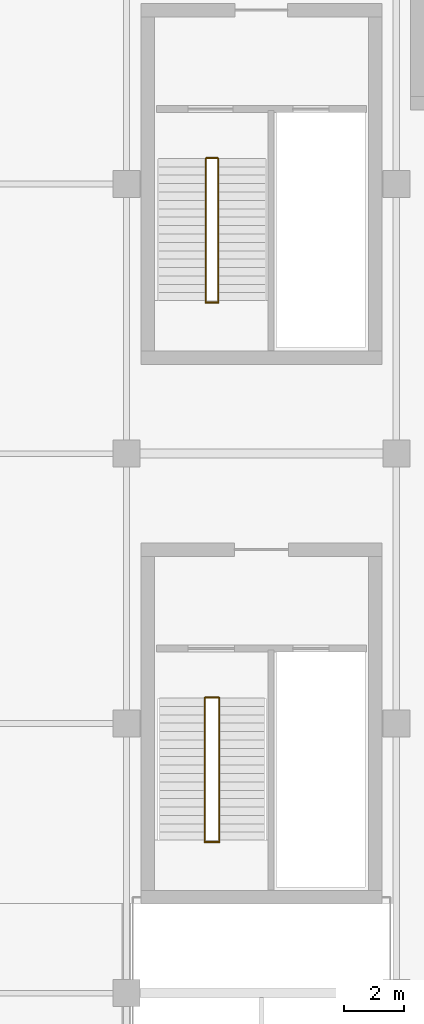
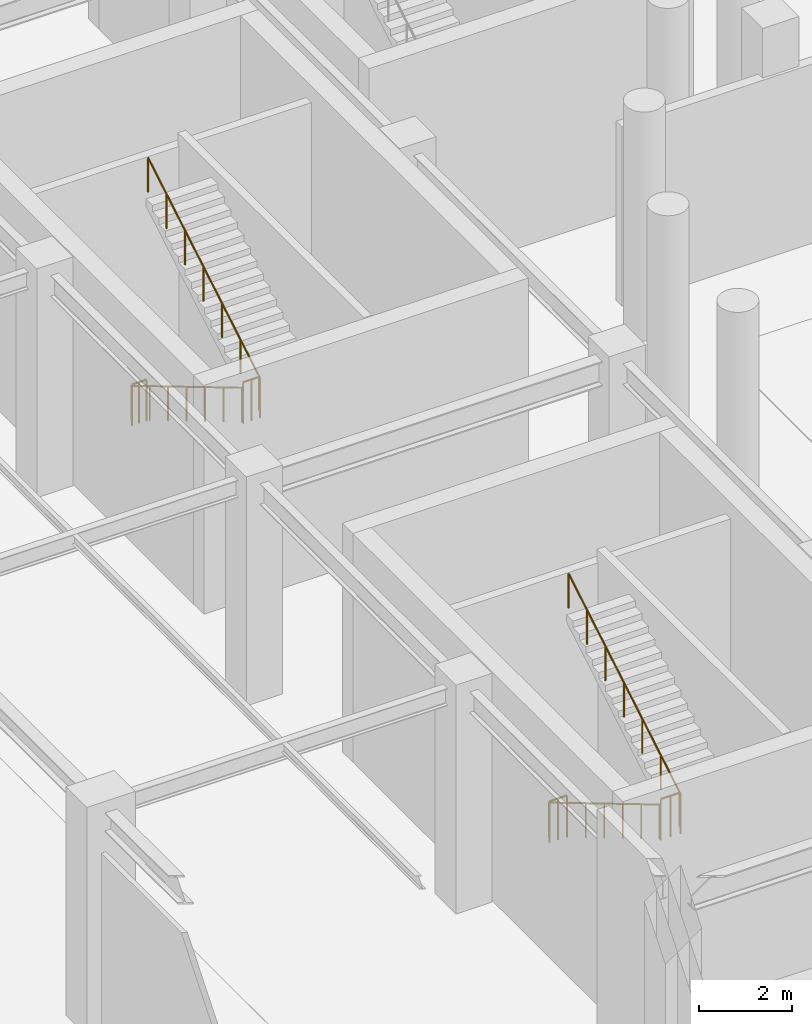
# One storey, part 83 of 91: 8 railings.
"""IFC4 building model written with IfcOpenShell, lengths in metres."""

from ifc_helpers import new_model, si_unit, direction, frame, origin, origin_2d, place, context, subcontext, project, spatial, circle, extrude, material, type_object, element, save


model = new_model("IFC4")

# Units and contexts
model_context = context("Model", 3, precision=1e-05, world=origin(), true_north=direction((0.0, 1.0)))
body_context = subcontext(model_context, "Body", "Model", "MODEL_VIEW")
ifc_project = project(units=[si_unit("LENGTHUNIT", "METRE"), si_unit("AREAUNIT", "SQUARE_METRE"), si_unit("VOLUMEUNIT", "CUBIC_METRE"), si_unit("PLANEANGLEUNIT", "RADIAN"), si_unit("MASSUNIT", "GRAM", prefix="KILO")], contexts=[model_context])

# Site, building, storey
site_placement = place(None, origin())
site = spatial("IfcSite", under=ifc_project, at=site_placement, CompositionType="ELEMENT")
building_placement = place(site_placement, origin())
building = spatial("IfcBuilding", under=site, at=building_placement, Name="Dornveld Trade and Exhibition Forum", CompositionType="ELEMENT")
storey_placement = place(building_placement, origin())
storey = spatial("IfcBuildingStorey", under=building, at=storey_placement, Name="L00", CompositionType="ELEMENT", Elevation=0.0)

# Railings
ifc_material_1 = material(Name="Brushed stainless steel handrail", Category="steel")
railing_type_1 = type_object("IfcRailingType", Name="RL-HAND-920", PredefinedType="HANDRAIL", material=ifc_material_1)
railing_1_placement = place(storey_placement, frame((92.639892578125, 90.85009765625, 0.166748046875)))
element("IfcRailing", 1, at=railing_1_placement, inside=storey, type_object=railing_type_1, Name="ST-04-L00 flight 1 handrail", PredefinedType="HANDRAIL", context=body_context, shape_type="SweptSolid", body=[
    extrude(circle(Radius=0.02099609375, at=origin_2d()), frame((0.0, 0.0, 0.89892578125), z_axis=(0.0, -0.859299802514, 0.511472237174), x_axis=(1.0, 0.0, 0.0)), (0.0, 0.0, 1.0), 5.539306640625),
    extrude(circle(Radius=0.01806640625, at=origin_2d()), origin(), (0.0, 0.0, 1.0), 0.8779296875),
    extrude(circle(Radius=0.01806640625, at=origin_2d()), frame((0.0, -0.79345703125, 0.47216796875)), (0.0, 0.0, 1.0), 0.8779296875),
    extrude(circle(Radius=0.01806640625, at=origin_2d()), frame((0.0, -1.586669921875, 0.9443359375)), (0.0, 0.0, 1.0), 0.8779296875),
    extrude(circle(Radius=0.01806640625, at=origin_2d()), frame((0.0, -2.3798828125, 1.41650390625)), (0.0, 0.0, 1.0), 0.8779296875),
    extrude(circle(Radius=0.01806640625, at=origin_2d()), frame((0.0, -3.17333984375, 1.888916015625)), (0.0, 0.0, 1.0), 0.8779296875),
    extrude(circle(Radius=0.01806640625, at=origin_2d()), frame((0.0, -3.966796875, 2.361083984375)), (0.0, 0.0, 1.0), 0.8779296875),
    extrude(circle(Radius=0.01806640625, at=origin_2d()), frame((0.0, -4.760009765625, 2.833251953125)), (0.0, 0.0, 1.0), 0.8779296875),
])
railing_2_placement = place(storey_placement, frame((93.06005859375, 86.090087890625, 3.166748046875)))
element("IfcRailing", 2, at=railing_2_placement, inside=storey, type_object=railing_type_1, Name="ST-04-L00 flight 2 handrail", PredefinedType="HANDRAIL", context=body_context, shape_type="SweptSolid", body=[
    extrude(circle(Radius=0.02099609375, at=origin_2d()), frame((0.0, 0.0, 0.89892578125), z_axis=(0.0, 0.859299802514, 0.511472237174), x_axis=(-1.0, 0.0, 0.0)), (0.0, 0.0, 1.0), 5.539306640625),
    extrude(circle(Radius=0.01806640625, at=origin_2d()), origin(), (0.0, 0.0, 1.0), 0.8779296875),
    extrude(circle(Radius=0.01806640625, at=origin_2d()), frame((0.0, 0.79345703125, 0.47216796875)), (0.0, 0.0, 1.0), 0.8779296875),
    extrude(circle(Radius=0.01806640625, at=origin_2d()), frame((0.0, 1.586669921875, 0.9443359375)), (0.0, 0.0, 1.0), 0.8779296875),
    extrude(circle(Radius=0.01806640625, at=origin_2d()), frame((0.0, 2.3798828125, 1.41650390625)), (0.0, 0.0, 1.0), 0.8779296875),
    extrude(circle(Radius=0.01806640625, at=origin_2d()), frame((0.0, 3.17333984375, 1.888916015625)), (0.0, 0.0, 1.0), 0.8779296875),
    extrude(circle(Radius=0.01806640625, at=origin_2d()), frame((0.0, 3.966796875, 2.361083984375)), (0.0, 0.0, 1.0), 0.8779296875),
    extrude(circle(Radius=0.01806640625, at=origin_2d()), frame((0.0, 4.760009765625, 2.833251953125)), (0.0, 0.0, 1.0), 0.8779296875),
])
railing_3_placement = place(storey_placement, frame((92.60498046875, 72.85009765625, 0.166748046875)))
element("IfcRailing", 3, at=railing_3_placement, inside=storey, type_object=railing_type_1, Name="ST-05-L00 flight 1 handrail", PredefinedType="HANDRAIL", context=body_context, shape_type="SweptSolid", body=[
    extrude(circle(Radius=0.02099609375, at=origin_2d()), frame((0.0, 0.0, 0.89892578125), z_axis=(0.0, -0.859299802514, 0.511472237174), x_axis=(1.0, 0.0, 0.0)), (0.0, 0.0, 1.0), 5.539306640625),
    extrude(circle(Radius=0.01806640625, at=origin_2d()), origin(), (0.0, 0.0, 1.0), 0.8779296875),
    extrude(circle(Radius=0.01806640625, at=origin_2d()), frame((0.0, -0.79345703125, 0.47216796875)), (0.0, 0.0, 1.0), 0.8779296875),
    extrude(circle(Radius=0.01806640625, at=origin_2d()), frame((0.0, -1.586669921875, 0.9443359375)), (0.0, 0.0, 1.0), 0.8779296875),
    extrude(circle(Radius=0.01806640625, at=origin_2d()), frame((0.0, -2.3798828125, 1.41650390625)), (0.0, 0.0, 1.0), 0.8779296875),
    extrude(circle(Radius=0.01806640625, at=origin_2d()), frame((0.0, -3.17333984375, 1.888916015625)), (0.0, 0.0, 1.0), 0.8779296875),
    extrude(circle(Radius=0.01806640625, at=origin_2d()), frame((0.0, -3.966796875, 2.361083984375)), (0.0, 0.0, 1.0), 0.8779296875),
    extrude(circle(Radius=0.01806640625, at=origin_2d()), frame((0.0, -4.760009765625, 2.833251953125)), (0.0, 0.0, 1.0), 0.8779296875),
])
railing_4_placement = place(storey_placement, frame((93.094970703125, 68.090087890625, 3.166748046875)))
element("IfcRailing", 4, at=railing_4_placement, inside=storey, type_object=railing_type_1, Name="ST-05-L00 flight 2 handrail", PredefinedType="HANDRAIL", context=body_context, shape_type="SweptSolid", body=[
    extrude(circle(Radius=0.02099609375, at=origin_2d()), frame((0.0, 0.0, 0.89892578125), z_axis=(0.0, 0.859299802514, 0.511472237174), x_axis=(-1.0, 0.0, 0.0)), (0.0, 0.0, 1.0), 5.539306640625),
    extrude(circle(Radius=0.01806640625, at=origin_2d()), origin(), (0.0, 0.0, 1.0), 0.8779296875),
    extrude(circle(Radius=0.01806640625, at=origin_2d()), frame((0.0, 0.79345703125, 0.47216796875)), (0.0, 0.0, 1.0), 0.8779296875),
    extrude(circle(Radius=0.01806640625, at=origin_2d()), frame((0.0, 1.586669921875, 0.9443359375)), (0.0, 0.0, 1.0), 0.8779296875),
    extrude(circle(Radius=0.01806640625, at=origin_2d()), frame((0.0, 2.3798828125, 1.41650390625)), (0.0, 0.0, 1.0), 0.8779296875),
    extrude(circle(Radius=0.01806640625, at=origin_2d()), frame((0.0, 3.17333984375, 1.888916015625)), (0.0, 0.0, 1.0), 0.8779296875),
    extrude(circle(Radius=0.01806640625, at=origin_2d()), frame((0.0, 3.966796875, 2.361083984375)), (0.0, 0.0, 1.0), 0.8779296875),
    extrude(circle(Radius=0.01806640625, at=origin_2d()), frame((0.0, 4.760009765625, 2.833251953125)), (0.0, 0.0, 1.0), 0.8779296875),
])
ifc_material_2 = material(Name="Painted steel S355J2 stair-well guard", Category="steel")
railing_type_2 = type_object("IfcRailingType", Name="RL-WELL-110", PredefinedType="GUARDRAIL", material=ifc_material_2)
railing_5_placement = place(storey_placement, frame((92.639892578125, 86.0400390625, 3.0)))
element("IfcRailing", 5, at=railing_5_placement, inside=storey, type_object=railing_type_2, Name="ST-04-L00 half-landing well guard", PredefinedType="GUARDRAIL", context=body_context, shape_type="SweptSolid", body=[
    extrude(circle(Radius=0.02392578125, at=origin_2d()), frame((0.0, 0.0, 1.076171875), z_axis=(1.0, 0.0, 0.0), x_axis=(0.0, 1.0, 0.0)), (0.0, 0.0, 1.0), 0.420166015625),
    extrude(circle(Radius=0.02001953125, at=origin_2d()), origin(), (0.0, 0.0, 1.0), 1.052001953125),
    extrude(circle(Radius=0.02001953125, at=origin_2d()), frame((0.2099609375, 0.0, 0.0)), (0.0, 0.0, 1.0), 1.052001953125),
    extrude(circle(Radius=0.02001953125, at=origin_2d()), frame((0.420166015625, 0.0, 0.0)), (0.0, 0.0, 1.0), 1.052001953125),
])
railing_6_placement = place(storey_placement, frame((92.669921875, 90.8701171875, 0.0)))
element("IfcRailing", 6, at=railing_6_placement, inside=storey, type_object=railing_type_2, Name="CORE-04 L00 stair-slot floor guard", PredefinedType="GUARDRAIL", context=body_context, shape_type="SweptSolid", body=[
    extrude(circle(Radius=0.02392578125, at=origin_2d()), frame((0.0, 0.0, 1.076171875), z_axis=(1.0, 0.0, 0.0), x_axis=(0.0, 1.0, 0.0)), (0.0, 0.0, 1.0), 0.360107421875),
    extrude(circle(Radius=0.02001953125, at=origin_2d()), origin(), (0.0, 0.0, 1.0), 1.052001953125),
    extrude(circle(Radius=0.02001953125, at=origin_2d()), frame((0.18017578125, 0.0, 0.0)), (0.0, 0.0, 1.0), 1.052001953125),
    extrude(circle(Radius=0.02001953125, at=origin_2d()), frame((0.360107421875, 0.0, 0.0)), (0.0, 0.0, 1.0), 1.052001953125),
])
railing_7_placement = place(storey_placement, frame((92.60498046875, 68.0400390625, 3.0)))
element("IfcRailing", 7, at=railing_7_placement, inside=storey, type_object=railing_type_2, Name="ST-05-L00 half-landing well guard", PredefinedType="GUARDRAIL", context=body_context, shape_type="SweptSolid", body=[
    extrude(circle(Radius=0.02392578125, at=origin_2d()), frame((0.0, 0.0, 1.076171875), z_axis=(1.0, 0.0, 0.0), x_axis=(0.0, 1.0, 0.0)), (0.0, 0.0, 1.0), 0.489990234375),
    extrude(circle(Radius=0.02001953125, at=origin_2d()), origin(), (0.0, 0.0, 1.0), 1.052001953125),
    extrude(circle(Radius=0.02001953125, at=origin_2d()), frame((0.2451171875, 0.0, 0.0)), (0.0, 0.0, 1.0), 1.052001953125),
    extrude(circle(Radius=0.02001953125, at=origin_2d()), frame((0.489990234375, 0.0, 0.0)), (0.0, 0.0, 1.0), 1.052001953125),
])
railing_8_placement = place(storey_placement, frame((92.635009765625, 72.8701171875, 0.0)))
element("IfcRailing", 8, at=railing_8_placement, inside=storey, type_object=railing_type_2, Name="CORE-05 L00 stair-slot floor guard", PredefinedType="GUARDRAIL", context=body_context, shape_type="SweptSolid", body=[
    extrude(circle(Radius=0.02392578125, at=origin_2d()), frame((0.0, 0.0, 1.076171875), z_axis=(1.0, 0.0, 0.0), x_axis=(0.0, 1.0, 0.0)), (0.0, 0.0, 1.0), 0.429931640625),
    extrude(circle(Radius=0.02001953125, at=origin_2d()), origin(), (0.0, 0.0, 1.0), 1.052001953125),
    extrude(circle(Radius=0.02001953125, at=origin_2d()), frame((0.21484375, 0.0, 0.0)), (0.0, 0.0, 1.0), 1.052001953125),
    extrude(circle(Radius=0.02001953125, at=origin_2d()), frame((0.429931640625, 0.0, 0.0)), (0.0, 0.0, 1.0), 1.052001953125),
])

save(model, "model.ifc")
